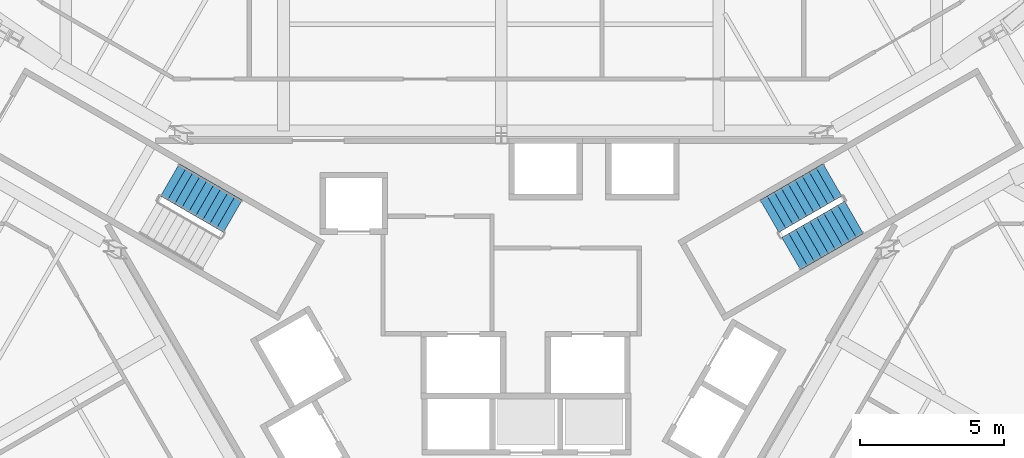
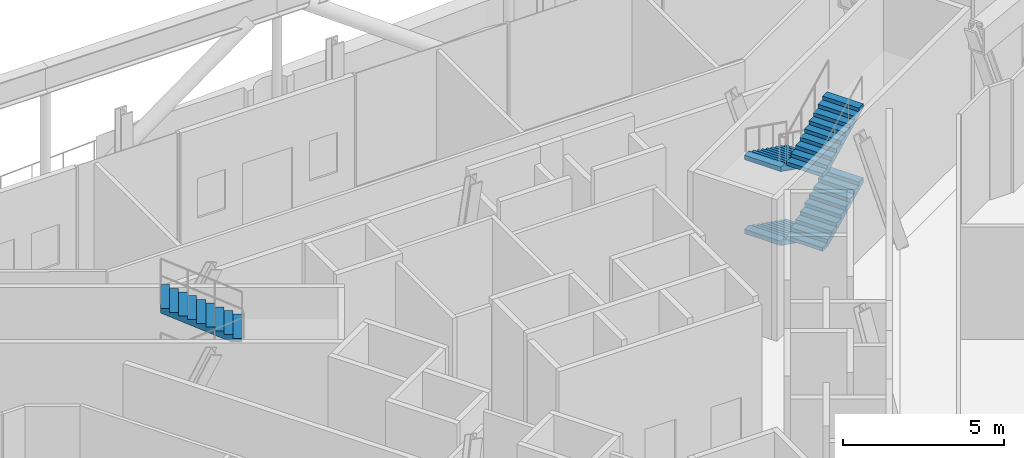
# One storey, part 19 of 25: 5 stair flights, 2 elements without a shape of their own.
"""IFC4 building model written with IfcOpenShell, lengths in metres."""

import ifcopenshell
import ifcopenshell.guid

model = None  # the IFC model being written
_history = None  # IfcOwnerHistory: only IFC2X3 demands one
_inside = {}  # id of a spatial element -> (the spatial element, [elements in it])
_under = {}  # id of a project, library or spatial element -> (it, [spatial elements below it])
_declared = {}  # id of a project -> (the project, [libraries it declares])
_typed = {}  # id of a type object -> (the type object, [elements of that type])
_made_of = {}  # id of a material, layer set ... -> (it, [elements and type objects made of it])


def new_model(schema):
    """Start an empty IFC model of exactly this schema.

    Asked for "IFC4X3", IfcOpenShell would pick the latest addendum, in which some entities
    have other attributes; the version numbers below select the first issue.
    IFC2X3 requires an IfcOwnerHistory on every rooted entity: one is made here for all.
    """
    global model, _history
    if schema == "IFC4X3":
        model = ifcopenshell.file(schema_version=(4, 3, 0, 0))
    else:
        model = ifcopenshell.file(schema=schema)
    _inside.clear()
    _under.clear()
    _declared.clear()
    _typed.clear()
    _made_of.clear()
    _history = None
    if model.schema == "IFC2X3":
        org = make("IfcOrganization", Name="unknown")
        user = make(
            "IfcPersonAndOrganization",
            ThePerson=make("IfcPerson", FamilyName="unknown"),
            TheOrganization=org,
        )
        app = make(
            "IfcApplication",
            ApplicationDeveloper=org,
            Version="unknown",
            ApplicationFullName="unknown",
            ApplicationIdentifier="unknown",
        )
        _history = make(
            "IfcOwnerHistory",
            OwningUser=user,
            OwningApplication=app,
            ChangeAction="ADDED",
            CreationDate=0,
        )
    return model


def make(cls, **values):
    """One entity of the class cls with the attributes given. An attribute that is None is left unset."""
    return model.create_entity(
        cls, **{name: value for name, value in values.items() if value is not None}
    )


def rooted(cls, **values):
    """An entity with a GlobalId (a new one), such as an element, a storey or a relation."""
    return make(cls, GlobalId=ifcopenshell.guid.new(), OwnerHistory=_history, **values)


def si_unit(unit_type, name, prefix=None):
    """IfcSIUnit, for example si_unit("LENGTHUNIT", "METRE", prefix="MILLI")."""
    return make("IfcSIUnit", UnitType=unit_type, Prefix=prefix, Name=name)


def assignment(units):
    """IfcUnitAssignment: the units of a project."""
    return None if units is None else make("IfcUnitAssignment", Units=units)


def point(xyz):
    """IfcCartesianPoint."""
    return None if xyz is None else make("IfcCartesianPoint", Coordinates=xyz)


def direction(xyz):
    """IfcDirection."""
    return None if xyz is None else make("IfcDirection", DirectionRatios=xyz)


def frame(location, z_axis=None, x_axis=None):
    """IfcAxis2Placement3D, a coordinate frame: its origin and axes. An axis left out is left unset."""
    return make(
        "IfcAxis2Placement3D",
        Location=point(location),
        Axis=direction(z_axis),
        RefDirection=direction(x_axis),
    )


def origin():
    """The frame at (0, 0, 0) with its axes left unset."""
    return frame((0.0, 0.0, 0.0))


def place(relative_to, where):
    """IfcLocalPlacement: puts the frame where relative to a parent placement (None: the world)."""
    return make(
        "IfcLocalPlacement", PlacementRelTo=relative_to, RelativePlacement=where
    )


def context(
    kind, dimensions, precision=None, world=None, true_north=None, identifier=None
):
    """IfcGeometricRepresentationContext, for example the 3D "Model" context."""
    return make(
        "IfcGeometricRepresentationContext",
        ContextIdentifier=identifier,
        ContextType=kind,
        CoordinateSpaceDimension=dimensions,
        Precision=precision,
        WorldCoordinateSystem=world,
        TrueNorth=true_north,
    )


def subcontext(parent, identifier, kind, view, scale=None):
    """IfcGeometricRepresentationSubContext, for example "Body" below "Model"."""
    return make(
        "IfcGeometricRepresentationSubContext",
        ContextIdentifier=identifier,
        ContextType=kind,
        ParentContext=parent,
        TargetScale=scale,
        TargetView=view,
    )


def project(units=None, contexts=None):
    """IfcProject with its units and contexts."""
    return rooted(
        "IfcProject",
        Name="project",
        RepresentationContexts=contexts,
        UnitsInContext=assignment(units),
    )


def spatial(cls, under=None, at=None, **own):
    """A site, building, storey or space (cls), placed at a placement, below another one or the project."""
    s = rooted(cls, ObjectPlacement=at, **own)
    if under is not None:
        _under.setdefault(under.id(), (under, []))[1].append(s)
    return s


def polyline(points):
    """IfcPolyline through the points."""
    return make("IfcPolyline", Points=[point(p) for p in points])


def outline(outer, holes=None, kind="AREA"):
    """IfcArbitraryClosedProfileDef: a profile drawn as a closed curve; with holes, ...WithVoids."""
    if holes is None:
        return make("IfcArbitraryClosedProfileDef", ProfileType=kind, OuterCurve=outer)
    return make(
        "IfcArbitraryProfileDefWithVoids",
        ProfileType=kind,
        OuterCurve=outer,
        InnerCurves=holes,
    )


def extrude(swept, where, along, depth):
    """IfcExtrudedAreaSolid: the profile swept, set in the frame where, extruded along a direction by depth."""
    return make(
        "IfcExtrudedAreaSolid",
        SweptArea=swept,
        Position=where,
        ExtrudedDirection=direction(along),
        Depth=depth,
    )


def shape(context_of_items, identifier, shape_type, items):
    """IfcShapeRepresentation: the items that make up one representation, for example the "Body"."""
    return make(
        "IfcShapeRepresentation",
        ContextOfItems=context_of_items,
        RepresentationIdentifier=identifier,
        RepresentationType=shape_type,
        Items=items,
    )


def material(Name=None, Category=None):
    """IfcMaterial."""
    return make("IfcMaterial", Name=Name, Category=Category)


def made_of(thing, what):
    """Note that an element or type object is made of a material, layer set ...; save() writes the relation."""
    if what is not None:
        _made_of.setdefault(what.id(), (what, []))[1].append(thing)
    return thing


def type_object(cls, material=None, **own):
    """A type object (cls), such as IfcWallType, which elements share."""
    return made_of(rooted(cls, **own), material)


def element(
    cls,
    number,
    at=None,
    inside=None,
    cuts=None,
    type_object=None,
    material=None,
    context=None,
    identifier="Body",
    shape_type=None,
    held_by="IfcProductDefinitionShape",
    body=None,
    shapes=None,
    **own,
):
    """One element of the class cls, such as IfcWall. Its Tag is "e" and its number.

    at: its placement. inside: the storey or other place that contains it. cuts: it is an
    opening in that element (IfcRelVoidsElement). A single representation is given by context,
    identifier, shape_type and body (its items); several are given by shapes. held_by: the class
    of the entity that holds the representations. save() writes the other relations.
    """
    e = rooted(cls, Tag="e%d" % number, ObjectPlacement=at, **own)
    if body is not None:
        shapes = [shape(context, identifier, shape_type, body)]
    if shapes is not None:
        e.Representation = make(held_by, Representations=shapes)
    if inside is not None:
        _inside.setdefault(inside.id(), (inside, []))[1].append(e)
    if cuts is not None:
        rooted(
            "IfcRelVoidsElement", RelatingBuildingElement=cuts, RelatedOpeningElement=e
        )
    if type_object is not None:
        _typed.setdefault(type_object.id(), (type_object, []))[1].append(e)
    return made_of(e, material)


def aggregate(whole, parts):
    """IfcRelAggregates: a whole, such as a stair, and the parts it consists of."""
    return rooted("IfcRelAggregates", RelatingObject=whole, RelatedObjects=parts)


def save(model, path):
    """Write the relations noted so far, then the file.

    IfcRelAggregates (storeys below a building ...), IfcRelContainedInSpatialStructure (elements
    in a storey), IfcRelDefinesByType, IfcRelAssociatesMaterial and IfcRelDeclares: one each for
    every whole, place, type object, material and project.
    """
    for whole, parts in _under.values():
        aggregate(whole, parts)
    for where, things in _inside.values():
        rooted(
            "IfcRelContainedInSpatialStructure",
            RelatedElements=things,
            RelatingStructure=where,
        )
    for kind, things in _typed.values():
        rooted("IfcRelDefinesByType", RelatedObjects=things, RelatingType=kind)
    for what, things in _made_of.values():
        rooted("IfcRelAssociatesMaterial", RelatedObjects=things, RelatingMaterial=what)
    for by, libraries in _declared.values():
        rooted("IfcRelDeclares", RelatingContext=by, RelatedDefinitions=libraries)
    model.write(path)


model = new_model("IFC4")

# Units and contexts
model_context = context("Model", 3, precision=1e-05, world=origin(), true_north=direction((0.0, 1.0)))
body_context = subcontext(model_context, "Body", "Model", "MODEL_VIEW")
ifc_project = project(units=[si_unit("LENGTHUNIT", "METRE"), si_unit("AREAUNIT", "SQUARE_METRE"), si_unit("VOLUMEUNIT", "CUBIC_METRE"), si_unit("PLANEANGLEUNIT", "RADIAN"), si_unit("MASSUNIT", "GRAM", prefix="KILO")], contexts=[model_context])

# Site, building, storey
site_placement = place(None, origin())
site = spatial("IfcSite", under=ifc_project, at=site_placement, CompositionType="ELEMENT")
building_placement = place(site_placement, origin())
building = spatial("IfcBuilding", under=site, at=building_placement, Name="Verrane Prism Tower", CompositionType="ELEMENT")
storey_placement = place(building_placement, frame((0.0, 0.0, 143.199951171875)))
storey = spatial("IfcBuildingStorey", under=building, at=storey_placement, Name="L35", CompositionType="ELEMENT", Elevation=143.199951171875)

# Stair, stair flights
ifc_material_1 = material(Name="Concrete C40/50", Category="concrete")
stair_type = type_object("IfcStairType", Name="Exit stair 1300 dog-leg precast concrete C40/50", PredefinedType="HALF_TURN_STAIR", material=ifc_material_1)
stair_1_placement = place(storey_placement, origin())
stair_1 = element("IfcStair", 1, at=stair_1_placement, inside=storey, type_object=stair_type, Name="Stair 1 L35", PredefinedType="HALF_TURN_STAIR")
ifc_material_2 = material(Name="Concrete C40/50", Category="concrete")
stair_flight_type = type_object("IfcStairFlightType", Name="Stair flight 1300 precast concrete C40/50", PredefinedType="STRAIGHT", material=ifc_material_2)
stair_flight_1_placement = place(storey_placement, frame((11.489501953125, 7.49951171875, 0.0), z_axis=(0.0, 0.0, 1.0), x_axis=(-0.866025403784, -0.5, 0.0)))
stair_flight_1 = element("IfcStairFlight", 2, at=stair_flight_1_placement, type_object=stair_flight_type, Name="Stair 1 flight 1", NumberOfRisers=10, NumberOfTreads=9, PredefinedType="STRAIGHT", RiserHeight=0.14, TreadLength=0.28, context=body_context, shape_type="SweptSolid", body=[
    extrude(outline(polyline([(0.0, 0.0), (0.0, 0.139892578125), (0.280029296875, 0.139892578125), (0.280029296875, 0.280029296875), (0.56005859375, 0.280029296875), (0.56005859375, 0.419921875), (0.840087890625, 0.419921875), (0.840087890625, 0.56005859375), (1.1201171875, 0.56005859375), (1.1201171875, 0.699951171875), (1.39990234375, 0.699951171875), (1.39990234375, 0.840087890625), (1.679931640625, 0.840087890625), (1.679931640625, 0.97998046875), (1.9599609375, 0.97998046875), (1.9599609375, 1.1201171875), (2.239990234375, 1.1201171875), (2.239990234375, 1.260009765625), (2.52001953125, 1.260009765625), (2.52001953125, 1.39990234375), (2.52001953125, 1.09228515625), (0.335205078125, 0.0), (0.0, 0.0)])), frame((0.0, 0.64990234375, 0.0), z_axis=(0.0, -1.0, 0.0), x_axis=(1.0, 0.0, 0.0)), (0.0, 0.0, 1.0), 1.300048828125),
])
stair_flight_2_placement = place(storey_placement, frame((10.05712890625, 4.9404296875, 1.400146484375), z_axis=(0.0, 0.0, 1.0), x_axis=(0.866025403784, 0.5, 0.0)))
stair_flight_2 = element("IfcStairFlight", 3, at=stair_flight_2_placement, type_object=stair_flight_type, Name="Stair 1 flight 2", NumberOfRisers=10, NumberOfTreads=9, PredefinedType="STRAIGHT", RiserHeight=0.14, TreadLength=0.28, context=body_context, shape_type="SweptSolid", body=[
    extrude(outline(polyline([(0.0, 0.0), (0.0, 0.139892578125), (0.280029296875, 0.139892578125), (0.280029296875, 0.280029296875), (0.56005859375, 0.280029296875), (0.56005859375, 0.419921875), (0.840087890625, 0.419921875), (0.840087890625, 0.56005859375), (1.1201171875, 0.56005859375), (1.1201171875, 0.699951171875), (1.39990234375, 0.699951171875), (1.39990234375, 0.840087890625), (1.679931640625, 0.840087890625), (1.679931640625, 0.97998046875), (1.9599609375, 0.97998046875), (1.9599609375, 1.1201171875), (2.239990234375, 1.1201171875), (2.239990234375, 1.260009765625), (2.52001953125, 1.260009765625), (2.52001953125, 1.39990234375), (2.52001953125, 1.09228515625), (0.335205078125, 0.0), (0.0, 0.0)])), frame((0.0, 0.64990234375, 0.0), z_axis=(0.0, -1.0, 0.0), x_axis=(1.0, 0.0, 0.0)), (0.0, 0.0, 1.0), 1.300048828125),
])
stair_flight_3_placement = place(storey_placement, frame((11.489501953125, 7.49951171875, 2.800048828125), z_axis=(0.0, 0.0, 1.0), x_axis=(-0.866025403784, -0.5, 0.0)))
stair_flight_3 = element("IfcStairFlight", 4, at=stair_flight_3_placement, type_object=stair_flight_type, Name="Stair 1 flight 3", NumberOfRisers=10, NumberOfTreads=9, PredefinedType="STRAIGHT", RiserHeight=0.14, TreadLength=0.28, context=body_context, shape_type="SweptSolid", body=[
    extrude(outline(polyline([(0.0, 0.0), (0.0, 0.139892578125), (0.280029296875, 0.139892578125), (0.280029296875, 0.280029296875), (0.56005859375, 0.280029296875), (0.56005859375, 0.419921875), (0.840087890625, 0.419921875), (0.840087890625, 0.56005859375), (1.1201171875, 0.56005859375), (1.1201171875, 0.699951171875), (1.39990234375, 0.699951171875), (1.39990234375, 0.840087890625), (1.679931640625, 0.840087890625), (1.679931640625, 0.97998046875), (1.9599609375, 0.97998046875), (1.9599609375, 1.1201171875), (2.239990234375, 1.1201171875), (2.239990234375, 1.260009765625), (2.52001953125, 1.260009765625), (2.52001953125, 1.39990234375), (2.52001953125, 1.09228515625), (0.335205078125, 0.0), (0.0, 0.0)])), frame((0.0, 0.64990234375, 0.0), z_axis=(0.0, -1.0, 0.0), x_axis=(1.0, 0.0, 0.0)), (0.0, 0.0, 1.0), 1.300048828125),
])
stair_flight_4_placement = place(storey_placement, frame((10.05712890625, 4.9404296875, 4.199951171875), z_axis=(0.0, 0.0, 1.0), x_axis=(0.866025403784, 0.5, 0.0)))
stair_flight_4 = element("IfcStairFlight", 5, at=stair_flight_4_placement, type_object=stair_flight_type, Name="Stair 1 flight 4", NumberOfRisers=10, NumberOfTreads=9, PredefinedType="STRAIGHT", RiserHeight=0.14, TreadLength=0.28, context=body_context, shape_type="SweptSolid", body=[
    extrude(outline(polyline([(0.0, 0.0), (0.0, 0.139892578125), (0.280029296875, 0.139892578125), (0.280029296875, 0.280029296875), (0.56005859375, 0.280029296875), (0.56005859375, 0.419921875), (0.840087890625, 0.419921875), (0.840087890625, 0.56005859375), (1.1201171875, 0.56005859375), (1.1201171875, 0.699951171875), (1.39990234375, 0.699951171875), (1.39990234375, 0.840087890625), (1.679931640625, 0.840087890625), (1.679931640625, 0.97998046875), (1.9599609375, 0.97998046875), (1.9599609375, 1.1201171875), (2.239990234375, 1.1201171875), (2.239990234375, 1.260009765625), (2.52001953125, 1.260009765625), (2.52001953125, 1.39990234375), (2.52001953125, 1.09228515625), (0.335205078125, 0.0), (0.0, 0.0)])), frame((0.0, 0.64990234375, 0.0), z_axis=(0.0, -1.0, 0.0), x_axis=(1.0, 0.0, 0.0)), (0.0, 0.0, 1.0), 1.300048828125),
])
aggregate(stair_1, [stair_flight_1, stair_flight_2, stair_flight_3, stair_flight_4])

# Stair, stair flight
stair_2_placement = place(storey_placement, origin())
stair_2 = element("IfcStair", 6, at=stair_2_placement, inside=storey, type_object=stair_type, Name="Stair 2 L35", PredefinedType="HALF_TURN_STAIR")
stair_flight_5_placement = place(storey_placement, frame((-9.30712890625, 6.239501953125, 4.199951171875), z_axis=(0.0, 0.0, 1.0), x_axis=(-0.866025403784, 0.5, 0.0)))
stair_flight_5 = element("IfcStairFlight", 7, at=stair_flight_5_placement, type_object=stair_flight_type, Name="Stair 2 flight 4", NumberOfRisers=10, NumberOfTreads=9, PredefinedType="STRAIGHT", RiserHeight=0.14, TreadLength=0.28, context=body_context, shape_type="SweptSolid", body=[
    extrude(outline(polyline([(0.0, 0.0), (0.0, 0.139892578125), (0.280029296875, 0.139892578125), (0.280029296875, 0.280029296875), (0.56005859375, 0.280029296875), (0.56005859375, 0.419921875), (0.840087890625, 0.419921875), (0.840087890625, 0.56005859375), (1.1201171875, 0.56005859375), (1.1201171875, 0.699951171875), (1.39990234375, 0.699951171875), (1.39990234375, 0.840087890625), (1.679931640625, 0.840087890625), (1.679931640625, 0.97998046875), (1.9599609375, 0.97998046875), (1.9599609375, 1.1201171875), (2.239990234375, 1.1201171875), (2.239990234375, 1.260009765625), (2.52001953125, 1.260009765625), (2.52001953125, 1.39990234375), (2.52001953125, 1.09228515625), (0.335205078125, 0.0), (0.0, 0.0)])), frame((0.0, 0.64990234375, 0.0), z_axis=(0.0, -1.0, 0.0), x_axis=(1.0, 0.0, 0.0)), (0.0, 0.0, 1.0), 1.300048828125),
])
aggregate(stair_2, [stair_flight_5])

save(model, "model.ifc")
